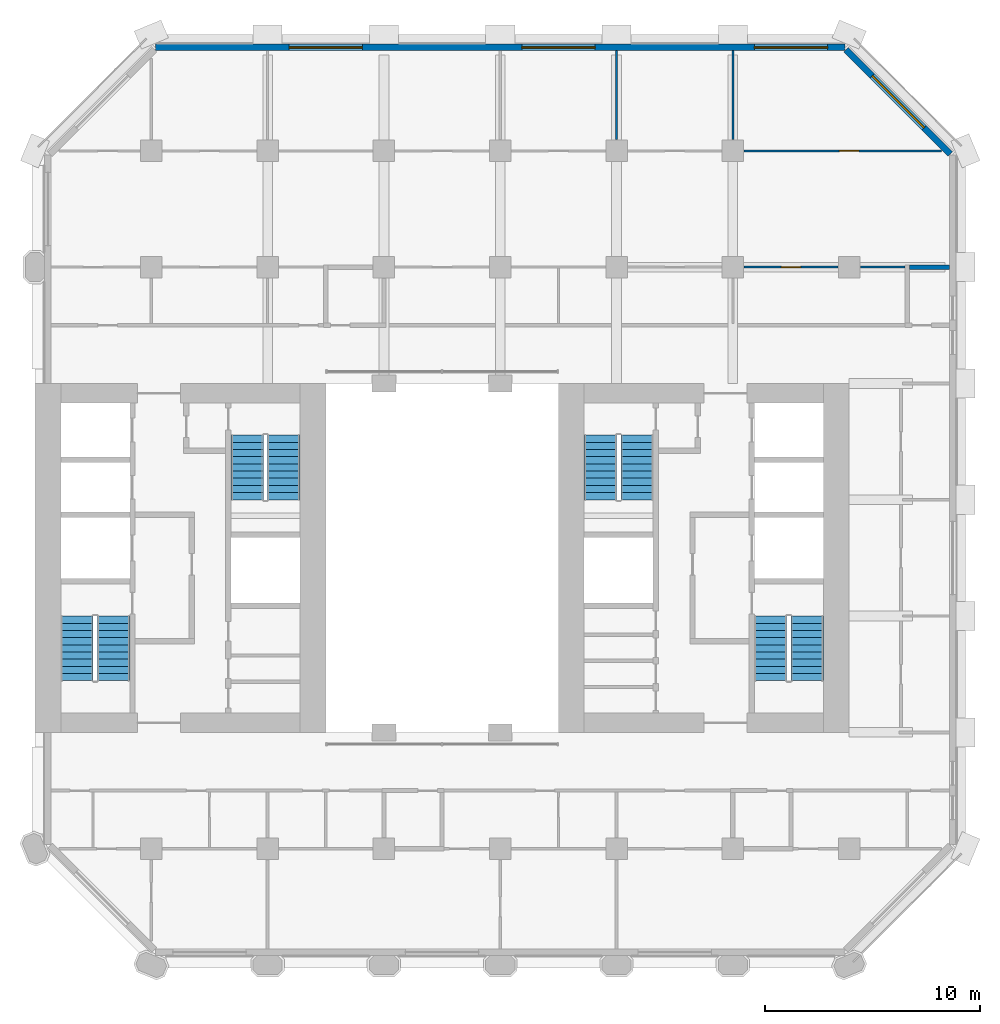
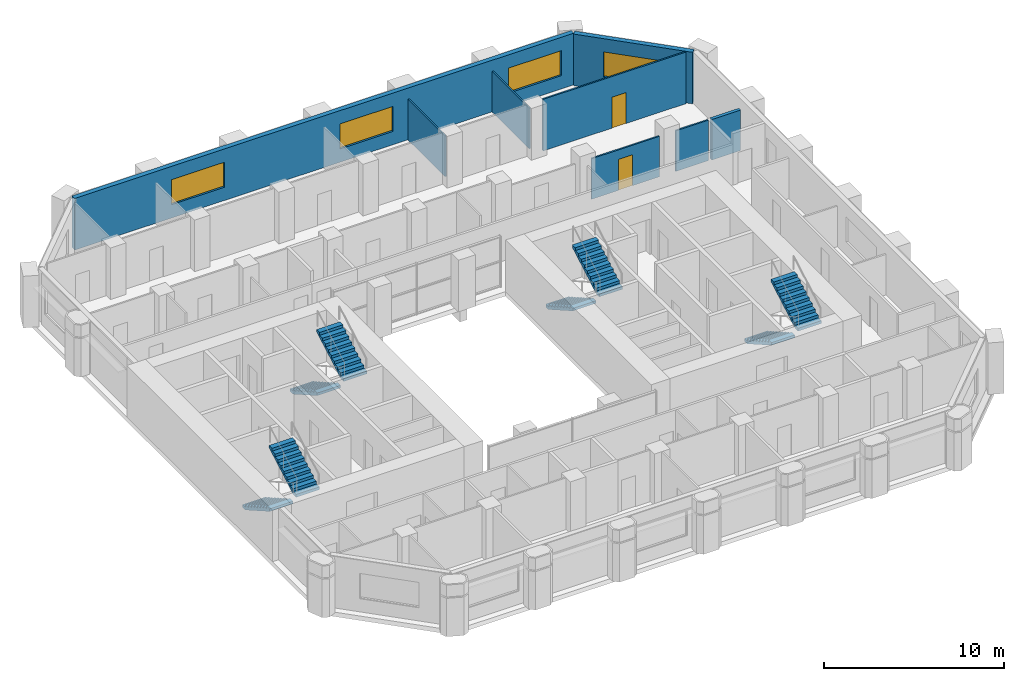
# One storey, part 8 of 11: 8 stair flights, 8 walls, 4 windows, 2 doors, 6 openings, 4 elements without a shape of their own.
"""IFC4 building model written with IfcOpenShell, lengths in metres."""

from ifc_helpers import new_model, si_unit, direction, frame, frame_2d, origin, place, context, subcontext, project, spatial, polyline, rectangle, outline, extrude, material, layer, layer_set, type_object, element, fill, aggregate, save


model = new_model("IFC4")

# Units and contexts
model_context = context("Model", 3, precision=1e-05, world=origin(), true_north=direction((0.0, 1.0)))
body_context = subcontext(model_context, "Body", "Model", "MODEL_VIEW")
ifc_project = project(units=[si_unit("LENGTHUNIT", "METRE"), si_unit("AREAUNIT", "SQUARE_METRE"), si_unit("VOLUMEUNIT", "CUBIC_METRE"), si_unit("PLANEANGLEUNIT", "RADIAN"), si_unit("MASSUNIT", "GRAM", prefix="KILO")], contexts=[model_context])

# Site, building, storey
site_placement = place(None, origin())
site = spatial("IfcSite", under=ifc_project, at=site_placement, CompositionType="ELEMENT")
building_placement = place(site_placement, origin())
building = spatial("IfcBuilding", under=site, at=building_placement, Name="Tabaq Tower and Sports Hall", CompositionType="ELEMENT")
storey_placement = place(building_placement, frame((0.0, 0.0, 72.60009765625)))
storey = spatial("IfcBuildingStorey", under=building, at=storey_placement, Name="L16", CompositionType="ELEMENT", Elevation=72.60009765625)

# Walls
ifc_material_1 = material(Name="Blockwork", Category="masonry")
ifc_layer_1 = layer(ifc_material_1, 0.199951171875)
ifc_layer_set_1 = layer_set([ifc_layer_1], Name="Fire compartment wall 200 Blockwork")
wall_type_1 = type_object("IfcWallType", Name="Fire compartment wall 200 Blockwork", PredefinedType="PARTITIONING", material=ifc_layer_set_1)
wall_1_placement = place(storey_placement, frame((47.84912109375, 37.800048828125, 0.0), z_axis=(0.0, 0.0, 1.0), x_axis=(-1.0, 0.0, 0.0)))
element("IfcWall", 1, at=wall_1_placement, inside=storey, type_object=wall_type_1, Name="Compartment wall L16", PredefinedType="PARTITIONING", context=body_context, shape_type="SweptSolid", body=[
    extrude(rectangle(XDim=1.84912109375, YDim=0.199951171875, at=frame_2d((0.924560546875, 0.0))), origin(), (0.0, 0.0, 1.0), 2.75),
])
ifc_material_2 = material(Name="Gypsum board on steel studs", Category="steel")
ifc_layer_2 = layer(ifc_material_2, 0.10009765625)
ifc_layer_set_2 = layer_set([ifc_layer_2], Name="Partition 100 Gypsum board")
wall_type_2 = type_object("IfcWallType", Name="Partition 100 Gypsum board", PredefinedType="PARTITIONING", material=ifc_layer_set_2)
wall_2_placement = place(storey_placement, frame((45.800048828125, 37.800048828125, 0.0), z_axis=(0.0, 0.0, 1.0), x_axis=(-1.0, 0.0, 0.0)))
element("IfcWall", 2, at=wall_2_placement, inside=storey, type_object=wall_type_2, Name="Partition wall L16", PredefinedType="PARTITIONING", context=body_context, shape_type="SweptSolid", body=[
    extrude(rectangle(XDim=2.080078125, YDim=0.10009765625, at=frame_2d((1.0400390625, 0.0))), origin(), (0.0, 0.0, 1.0), 2.75),
])

# Wall, opening, door
wall_3_placement = place(storey_placement, frame((42.679931640625, 37.800048828125, 0.0), z_axis=(0.0, 0.0, 1.0), x_axis=(-1.0, 0.0, 0.0)))
wall_3 = element("IfcWall", 3, at=wall_3_placement, inside=storey, type_object=wall_type_2, Name="Partition wall L16", PredefinedType="PARTITIONING", context=body_context, shape_type="SweptSolid", body=[
    extrude(rectangle(XDim=4.35986328125, YDim=0.10009765625, at=frame_2d((2.179931640625, 0.0))), origin(), (0.0, 0.0, 1.0), 2.75),
])
opening_1_placement = place(wall_3_placement, frame((1.72998046875, 0.0, 0.0)))
opening_1 = element("IfcOpeningElement", 4, at=opening_1_placement, cuts=wall_3, Name="Opening L16-016", PredefinedType="OPENING", context=body_context, shape_type="SweptSolid", body=[
    extrude(rectangle(XDim=0.89990234375, YDim=2.10009765625, at=frame_2d((0.449951171875, 1.050048828125))), frame((0.0, 0.050048828125, 0.0), z_axis=(0.0, -1.0, 0.0), x_axis=(1.0, 0.0, 0.0)), (0.0, 0.0, 1.0), 0.10009765625),
])
ifc_material_3 = material(Name="Timber leaf in steel frame", Category="steel")
door_type = type_object("IfcDoorType", Name="Internal door 900 left hand", OperationType="SINGLE_SWING_LEFT", PredefinedType="DOOR", material=ifc_material_3)
door_1_placement = place(opening_1_placement, origin())
door_1 = element("IfcDoor", 5, at=door_1_placement, inside=storey, type_object=door_type, Name="Internal door L16-016", OperationType="SINGLE_SWING_LEFT", OverallHeight=2.10009765625, OverallWidth=0.89990234375, PredefinedType="DOOR", context=body_context, shape_type="SweptSolid", body=[
    extrude(rectangle(XDim=0.89990234375, YDim=2.10009765625, at=frame_2d((0.449951171875, 1.050048828125))), frame((0.0, 0.02490234375, 0.0), z_axis=(0.0, -1.0, 0.0), x_axis=(1.0, 0.0, 0.0)), (0.0, 0.0, 1.0), 0.050048828125),
])
fill(opening_1, door_1)

wall_4_placement = place(storey_placement, frame((47.48779296875, 43.199951171875, 0.0), z_axis=(0.0, 0.0, 1.0), x_axis=(-1.0, 0.0, 0.0)))
wall_4 = element("IfcWall", 6, at=wall_4_placement, inside=storey, type_object=wall_type_2, Name="Partition wall L16", PredefinedType="PARTITIONING", context=body_context, shape_type="SweptSolid", body=[
    extrude(rectangle(XDim=9.167724609375, YDim=0.10009765625, at=frame_2d((4.583984375, 0.0))), origin(), (0.0, 0.0, 1.0), 3.5),
])
opening_2_placement = place(wall_4_placement, frame((3.837890625, 0.0, 0.0)))
opening_2 = element("IfcOpeningElement", 7, at=opening_2_placement, cuts=wall_4, Name="Opening L16-022", PredefinedType="OPENING", context=body_context, shape_type="SweptSolid", body=[
    extrude(rectangle(XDim=0.89990234375, YDim=2.10009765625, at=frame_2d((0.449951171875, 1.050048828125))), frame((0.0, 0.050048828125, 0.0), z_axis=(0.0, -1.0, 0.0), x_axis=(1.0, 0.0, 0.0)), (0.0, 0.0, 1.0), 0.10009765625),
])
door_2_placement = place(opening_2_placement, origin())
door_2 = element("IfcDoor", 8, at=door_2_placement, inside=storey, type_object=door_type, Name="Internal door L16-022", OperationType="SINGLE_SWING_LEFT", OverallHeight=2.10009765625, OverallWidth=0.89990234375, PredefinedType="DOOR", context=body_context, shape_type="SweptSolid", body=[
    extrude(rectangle(XDim=0.89990234375, YDim=2.10009765625, at=frame_2d((0.449951171875, 1.050048828125))), frame((0.0, 0.02490234375, 0.0), z_axis=(0.0, -1.0, 0.0), x_axis=(1.0, 0.0, 0.0)), (0.0, 0.0, 1.0), 0.050048828125),
])
fill(opening_2, door_2)

# Walls
for number, where, z_axis, x_axis, name in (
    (9, (32.39990234375, 43.719970703125, 0.0), (0.0, 0.0, 1.0), (0.0, 1.0, 0.0), "Partition wall L16"),
    (10, (37.800048828125, 43.719970703125, 0.0), (0.0, 0.0, 1.0), (0.0, 1.0, 0.0), "Partition wall L16"),
):
    element("IfcWall", number, at=place(storey_placement, frame(where, z_axis=z_axis, x_axis=x_axis)), inside=storey, type_object=wall_type_2, Name=name, PredefinedType="PARTITIONING", context=body_context, shape_type="SweptSolid", body=[
        extrude(rectangle(XDim=4.129150390625, YDim=0.10009765625, at=frame_2d((2.064453125, 0.0))), origin(), (0.0, 0.0, 1.0), 2.75),
    ])

# Wall, opening, window
ifc_material_4 = material(Name="White precast concrete C60/75", Category="concrete")
ifc_layer_3 = layer(ifc_material_4, 0.300048828125)
ifc_layer_set_3 = layer_set([ifc_layer_3], Name="White precast concrete C60/75 external wall 300")
wall_type_3 = type_object("IfcWallType", Name="White precast concrete C60/75 external wall 300", PredefinedType="SOLIDWALL", material=ifc_layer_set_3)
wall_5_placement = place(storey_placement, frame((47.901123046875, 43.050537109375, 0.0), z_axis=(0.0, 0.0, 1.0), x_axis=(-0.707106781187, 0.707106781187, 0.0)))
wall_5 = element("IfcWall", 11, at=wall_5_placement, inside=storey, type_object=wall_type_3, Name="External Wall L16 NE", PredefinedType="SOLIDWALL", context=body_context, shape_type="SweptSolid", body=[
    extrude(rectangle(XDim=6.85986328125, YDim=0.300048828125, at=frame_2d((3.429931640625, 0.0))), origin(), (0.0, 0.0, 1.0), 3.5),
])
opening_3_placement = place(wall_5_placement, frame((1.729736328125, 0.0, 0.89990234375)))
opening_3 = element("IfcOpeningElement", 12, at=opening_3_placement, cuts=wall_5, Name="Opening W1A", PredefinedType="OPENING", context=body_context, shape_type="SweptSolid", body=[
    extrude(rectangle(XDim=3.39990234375, YDim=1.699951171875, at=frame_2d((1.699951171875, 0.85009765625))), frame((0.0, 0.16015625, 0.0), z_axis=(0.0, -1.0, 0.0), x_axis=(1.0, 0.0, 0.0)), (0.0, 0.0, 1.0), 0.320068359375),
])
ifc_material_5 = material(Name="Aluminium framed clear glazing", Category="aluminium")
window_type = type_object("IfcWindowType", Name="Window W1A", PartitioningType="SINGLE_PANEL", PredefinedType="WINDOW", material=ifc_material_5)
window_1_placement = place(opening_3_placement, origin())
window_1 = element("IfcWindow", 13, at=window_1_placement, inside=storey, type_object=window_type, Name="Window W1A L16", OverallHeight=1.699951171875, OverallWidth=3.39990234375, PartitioningType="SINGLE_PANEL", PredefinedType="WINDOW", context=body_context, shape_type="SweptSolid", body=[
    extrude(rectangle(XDim=3.39990234375, YDim=1.699951171875, at=frame_2d((1.699951171875, 0.85009765625))), frame((0.0, 0.030029296875, 0.0), z_axis=(0.0, -1.0, 0.0), x_axis=(1.0, 0.0, 0.0)), (0.0, 0.0, 1.0), 0.06005859375),
])
fill(opening_3, window_1)

# Wall, openings, windows
wall_6_placement = place(storey_placement, frame((43.013671875, 48.0, 0.0), z_axis=(0.0, 0.0, 1.0), x_axis=(-1.0, 0.0, 0.0)))
wall_6 = element("IfcWall", 14, at=wall_6_placement, inside=storey, type_object=wall_type_3, Name="External Wall L16 N", PredefinedType="SOLIDWALL", context=body_context, shape_type="SweptSolid", body=[
    extrude(rectangle(XDim=32.02734375, YDim=0.300048828125, at=frame_2d((16.013671875, 0.0))), origin(), (0.0, 0.0, 1.0), 3.5),
])
opening_4_placement = place(wall_6_placement, frame((0.813720703125, 0.0, 0.89990234375)))
opening_4 = element("IfcOpeningElement", 15, at=opening_4_placement, cuts=wall_6, Name="Opening W1A", PredefinedType="OPENING", context=body_context, shape_type="SweptSolid", body=[
    extrude(rectangle(XDim=3.39990234375, YDim=1.699951171875, at=frame_2d((1.699951171875, 0.85009765625))), frame((0.0, 0.16015625, 0.0), z_axis=(0.0, -1.0, 0.0), x_axis=(1.0, 0.0, 0.0)), (0.0, 0.0, 1.0), 0.320068359375),
])
opening_5_placement = place(wall_6_placement, frame((11.613525390625, 0.0, 0.89990234375)))
opening_5 = element("IfcOpeningElement", 16, at=opening_5_placement, cuts=wall_6, Name="Opening W1A", PredefinedType="OPENING", context=body_context, shape_type="SweptSolid", body=[
    extrude(rectangle(XDim=3.39990234375, YDim=1.699951171875, at=frame_2d((1.699951171875, 0.85009765625))), frame((0.0, 0.16015625, 0.0), z_axis=(0.0, -1.0, 0.0), x_axis=(1.0, 0.0, 0.0)), (0.0, 0.0, 1.0), 0.320068359375),
])
opening_6_placement = place(wall_6_placement, frame((22.41357421875, 0.0, 0.89990234375)))
opening_6 = element("IfcOpeningElement", 17, at=opening_6_placement, cuts=wall_6, Name="Opening W1A", PredefinedType="OPENING", context=body_context, shape_type="SweptSolid", body=[
    extrude(rectangle(XDim=3.39990234375, YDim=1.699951171875, at=frame_2d((1.699951171875, 0.85009765625))), frame((0.0, 0.16015625, 0.0), z_axis=(0.0, -1.0, 0.0), x_axis=(1.0, 0.0, 0.0)), (0.0, 0.0, 1.0), 0.320068359375),
])
window_2_placement = place(opening_4_placement, origin())
window_2 = element("IfcWindow", 18, at=window_2_placement, inside=storey, type_object=window_type, Name="Window W1A L16", OverallHeight=1.699951171875, OverallWidth=3.39990234375, PartitioningType="SINGLE_PANEL", PredefinedType="WINDOW", context=body_context, shape_type="SweptSolid", body=[
    extrude(rectangle(XDim=3.39990234375, YDim=1.699951171875, at=frame_2d((1.699951171875, 0.85009765625))), frame((0.0, 0.030029296875, 0.0), z_axis=(0.0, -1.0, 0.0), x_axis=(1.0, 0.0, 0.0)), (0.0, 0.0, 1.0), 0.06005859375),
])
fill(opening_4, window_2)
window_3_placement = place(opening_5_placement, origin())
window_3 = element("IfcWindow", 19, at=window_3_placement, inside=storey, type_object=window_type, Name="Window W1A L16", OverallHeight=1.699951171875, OverallWidth=3.39990234375, PartitioningType="SINGLE_PANEL", PredefinedType="WINDOW", context=body_context, shape_type="SweptSolid", body=[
    extrude(rectangle(XDim=3.39990234375, YDim=1.699951171875, at=frame_2d((1.699951171875, 0.85009765625))), frame((0.0, 0.030029296875, 0.0), z_axis=(0.0, -1.0, 0.0), x_axis=(1.0, 0.0, 0.0)), (0.0, 0.0, 1.0), 0.06005859375),
])
fill(opening_5, window_3)
window_4_placement = place(opening_6_placement, origin())
window_4 = element("IfcWindow", 20, at=window_4_placement, inside=storey, type_object=window_type, Name="Window W1A L16", OverallHeight=1.699951171875, OverallWidth=3.39990234375, PartitioningType="SINGLE_PANEL", PredefinedType="WINDOW", context=body_context, shape_type="SweptSolid", body=[
    extrude(rectangle(XDim=3.39990234375, YDim=1.699951171875, at=frame_2d((1.699951171875, 0.85009765625))), frame((0.0, 0.030029296875, 0.0), z_axis=(0.0, -1.0, 0.0), x_axis=(1.0, 0.0, 0.0)), (0.0, 0.0, 1.0), 0.06005859375),
])
fill(opening_6, window_4)

# Stair, stair flights
ifc_material_6 = material(Name="Concrete C40/50", Category="concrete")
stair_type = type_object("IfcStairType", Name="Exit stair", PredefinedType="HALF_TURN_STAIR", material=ifc_material_6)
stair_1_placement = place(storey_placement, origin())
stair_1 = element("IfcStair", 21, at=stair_1_placement, inside=storey, type_object=stair_type, Name="L16 Exit stair ST1", PredefinedType="HALF_TURN_STAIR")
ifc_material_7 = material(Name="Concrete C40/50", Category="concrete")
stair_flight_type = type_object("IfcStairFlightType", Name="Exit stair flight", PredefinedType="STRAIGHT", material=ifc_material_7)
stair_flight_1_placement = place(storey_placement, frame((7.35009765625, 21.60009765625, 0.0), z_axis=(0.0, 0.0, 1.0), x_axis=(0.0, -1.0, 0.0)))
stair_flight_1 = element("IfcStairFlight", 22, at=stair_flight_1_placement, type_object=stair_flight_type, Name="ST1 flight 1", NumberOfRisers=10, NumberOfTreads=9, PredefinedType="STRAIGHT", RiserHeight=0.19, TreadLength=0.333333333, context=body_context, shape_type="SweptSolid", body=[
    extrude(outline(polyline([(0.0, 0.0), (0.0, 0.18994140625), (0.333251953125, 0.18994140625), (0.333251953125, 0.3798828125), (0.666748046875, 0.3798828125), (0.666748046875, 0.570068359375), (1.0, 0.570068359375), (1.0, 0.760009765625), (1.333251953125, 0.760009765625), (1.333251953125, 0.949951171875), (1.666748046875, 0.949951171875), (1.666748046875, 1.139892578125), (2.0, 1.139892578125), (2.0, 1.330078125), (2.333251953125, 1.330078125), (2.333251953125, 1.52001953125), (2.666748046875, 1.52001953125), (2.666748046875, 1.7099609375), (3.0, 1.7099609375), (3.0, 1.89990234375), (3.0, 1.537353515625), (0.302734375, 0.0), (0.0, 0.0)])), frame((0.0, 0.75, 0.0), z_axis=(0.0, -1.0, 0.0), x_axis=(1.0, 0.0, 0.0)), (0.0, 0.0, 1.0), 1.5),
])
stair_flight_2_placement = place(storey_placement, frame((9.050048828125, 18.60009765625, 1.89990234375), z_axis=(0.0, 0.0, 1.0), x_axis=(0.0, 1.0, 0.0)))
stair_flight_2 = element("IfcStairFlight", 23, at=stair_flight_2_placement, type_object=stair_flight_type, Name="ST1 flight 2", NumberOfRisers=10, NumberOfTreads=9, PredefinedType="STRAIGHT", RiserHeight=0.19, TreadLength=0.333333333, context=body_context, shape_type="SweptSolid", body=[
    extrude(outline(polyline([(0.0, 0.0), (0.0, 0.18994140625), (0.333251953125, 0.18994140625), (0.333251953125, 0.3798828125), (0.666748046875, 0.3798828125), (0.666748046875, 0.570068359375), (1.0, 0.570068359375), (1.0, 0.760009765625), (1.333251953125, 0.760009765625), (1.333251953125, 0.949951171875), (1.666748046875, 0.949951171875), (1.666748046875, 1.139892578125), (2.0, 1.139892578125), (2.0, 1.330078125), (2.333251953125, 1.330078125), (2.333251953125, 1.52001953125), (2.666748046875, 1.52001953125), (2.666748046875, 1.7099609375), (3.0, 1.7099609375), (3.0, 1.89990234375), (3.0, 1.537353515625), (0.302734375, 0.0), (0.0, 0.0)])), frame((0.0, 0.75, 0.0), z_axis=(0.0, -1.0, 0.0), x_axis=(1.0, 0.0, 0.0)), (0.0, 0.0, 1.0), 1.5),
])
aggregate(stair_1, [stair_flight_1, stair_flight_2])

stair_2_placement = place(storey_placement, origin())
stair_2 = element("IfcStair", 24, at=stair_2_placement, inside=storey, type_object=stair_type, Name="L16 Exit stair ST2", PredefinedType="HALF_TURN_STAIR")
stair_flight_3_placement = place(storey_placement, frame((15.25, 30.0, 0.0), z_axis=(0.0, 0.0, 1.0), x_axis=(0.0, -1.0, 0.0)))
stair_flight_3 = element("IfcStairFlight", 25, at=stair_flight_3_placement, type_object=stair_flight_type, Name="ST2 flight 1", NumberOfRisers=10, NumberOfTreads=9, PredefinedType="STRAIGHT", RiserHeight=0.19, TreadLength=0.333333333, context=body_context, shape_type="SweptSolid", body=[
    extrude(outline(polyline([(0.0, 0.0), (0.0, 0.18994140625), (0.333251953125, 0.18994140625), (0.333251953125, 0.3798828125), (0.666748046875, 0.3798828125), (0.666748046875, 0.570068359375), (1.0, 0.570068359375), (1.0, 0.760009765625), (1.333251953125, 0.760009765625), (1.333251953125, 0.949951171875), (1.666748046875, 0.949951171875), (1.666748046875, 1.139892578125), (2.0, 1.139892578125), (2.0, 1.330078125), (2.333251953125, 1.330078125), (2.333251953125, 1.52001953125), (2.666748046875, 1.52001953125), (2.666748046875, 1.7099609375), (3.0, 1.7099609375), (3.0, 1.89990234375), (3.0, 1.537353515625), (0.302734375, 0.0), (0.0, 0.0)])), frame((0.0, 0.75, 0.0), z_axis=(0.0, -1.0, 0.0), x_axis=(1.0, 0.0, 0.0)), (0.0, 0.0, 1.0), 1.5),
])
stair_flight_4_placement = place(storey_placement, frame((16.949951171875, 27.0, 1.89990234375), z_axis=(0.0, 0.0, 1.0), x_axis=(0.0, 1.0, 0.0)))
stair_flight_4 = element("IfcStairFlight", 26, at=stair_flight_4_placement, type_object=stair_flight_type, Name="ST2 flight 2", NumberOfRisers=10, NumberOfTreads=9, PredefinedType="STRAIGHT", RiserHeight=0.19, TreadLength=0.333333333, context=body_context, shape_type="SweptSolid", body=[
    extrude(outline(polyline([(0.0, 0.0), (0.0, 0.18994140625), (0.333251953125, 0.18994140625), (0.333251953125, 0.3798828125), (0.666748046875, 0.3798828125), (0.666748046875, 0.570068359375), (1.0, 0.570068359375), (1.0, 0.760009765625), (1.333251953125, 0.760009765625), (1.333251953125, 0.949951171875), (1.666748046875, 0.949951171875), (1.666748046875, 1.139892578125), (2.0, 1.139892578125), (2.0, 1.330078125), (2.333251953125, 1.330078125), (2.333251953125, 1.52001953125), (2.666748046875, 1.52001953125), (2.666748046875, 1.7099609375), (3.0, 1.7099609375), (3.0, 1.89990234375), (3.0, 1.537353515625), (0.302734375, 0.0), (0.0, 0.0)])), frame((0.0, 0.75, 0.0), z_axis=(0.0, -1.0, 0.0), x_axis=(1.0, 0.0, 0.0)), (0.0, 0.0, 1.0), 1.5),
])
aggregate(stair_2, [stair_flight_3, stair_flight_4])

stair_3_placement = place(storey_placement, origin())
stair_3 = element("IfcStair", 27, at=stair_3_placement, inside=storey, type_object=stair_type, Name="L16 Exit stair ST3", PredefinedType="HALF_TURN_STAIR")
stair_flight_5_placement = place(storey_placement, frame((39.550048828125, 21.60009765625, 0.0), z_axis=(0.0, 0.0, 1.0), x_axis=(0.0, -1.0, 0.0)))
stair_flight_5 = element("IfcStairFlight", 28, at=stair_flight_5_placement, type_object=stair_flight_type, Name="ST3 flight 1", NumberOfRisers=10, NumberOfTreads=9, PredefinedType="STRAIGHT", RiserHeight=0.19, TreadLength=0.333333333, context=body_context, shape_type="SweptSolid", body=[
    extrude(outline(polyline([(0.0, 0.0), (0.0, 0.18994140625), (0.333251953125, 0.18994140625), (0.333251953125, 0.3798828125), (0.666748046875, 0.3798828125), (0.666748046875, 0.570068359375), (1.0, 0.570068359375), (1.0, 0.760009765625), (1.333251953125, 0.760009765625), (1.333251953125, 0.949951171875), (1.666748046875, 0.949951171875), (1.666748046875, 1.139892578125), (2.0, 1.139892578125), (2.0, 1.330078125), (2.333251953125, 1.330078125), (2.333251953125, 1.52001953125), (2.666748046875, 1.52001953125), (2.666748046875, 1.7099609375), (3.0, 1.7099609375), (3.0, 1.89990234375), (3.0, 1.537353515625), (0.302734375, 0.0), (0.0, 0.0)])), frame((0.0, 0.75, 0.0), z_axis=(0.0, -1.0, 0.0), x_axis=(1.0, 0.0, 0.0)), (0.0, 0.0, 1.0), 1.5),
])
stair_flight_6_placement = place(storey_placement, frame((41.25, 18.60009765625, 1.89990234375), z_axis=(0.0, 0.0, 1.0), x_axis=(0.0, 1.0, 0.0)))
stair_flight_6 = element("IfcStairFlight", 29, at=stair_flight_6_placement, type_object=stair_flight_type, Name="ST3 flight 2", NumberOfRisers=10, NumberOfTreads=9, PredefinedType="STRAIGHT", RiserHeight=0.19, TreadLength=0.333333333, context=body_context, shape_type="SweptSolid", body=[
    extrude(outline(polyline([(0.0, 0.0), (0.0, 0.18994140625), (0.333251953125, 0.18994140625), (0.333251953125, 0.3798828125), (0.666748046875, 0.3798828125), (0.666748046875, 0.570068359375), (1.0, 0.570068359375), (1.0, 0.760009765625), (1.333251953125, 0.760009765625), (1.333251953125, 0.949951171875), (1.666748046875, 0.949951171875), (1.666748046875, 1.139892578125), (2.0, 1.139892578125), (2.0, 1.330078125), (2.333251953125, 1.330078125), (2.333251953125, 1.52001953125), (2.666748046875, 1.52001953125), (2.666748046875, 1.7099609375), (3.0, 1.7099609375), (3.0, 1.89990234375), (3.0, 1.537353515625), (0.302734375, 0.0), (0.0, 0.0)])), frame((0.0, 0.75, 0.0), z_axis=(0.0, -1.0, 0.0), x_axis=(1.0, 0.0, 0.0)), (0.0, 0.0, 1.0), 1.5),
])
aggregate(stair_3, [stair_flight_5, stair_flight_6])

stair_4_placement = place(storey_placement, origin())
stair_4 = element("IfcStair", 30, at=stair_4_placement, inside=storey, type_object=stair_type, Name="L16 Exit stair ST4", PredefinedType="HALF_TURN_STAIR")
stair_flight_7_placement = place(storey_placement, frame((31.64990234375, 30.0, 0.0), z_axis=(0.0, 0.0, 1.0), x_axis=(0.0, -1.0, 0.0)))
stair_flight_7 = element("IfcStairFlight", 31, at=stair_flight_7_placement, type_object=stair_flight_type, Name="ST4 flight 1", NumberOfRisers=10, NumberOfTreads=9, PredefinedType="STRAIGHT", RiserHeight=0.19, TreadLength=0.333333333, context=body_context, shape_type="SweptSolid", body=[
    extrude(outline(polyline([(0.0, 0.0), (0.0, 0.18994140625), (0.333251953125, 0.18994140625), (0.333251953125, 0.3798828125), (0.666748046875, 0.3798828125), (0.666748046875, 0.570068359375), (1.0, 0.570068359375), (1.0, 0.760009765625), (1.333251953125, 0.760009765625), (1.333251953125, 0.949951171875), (1.666748046875, 0.949951171875), (1.666748046875, 1.139892578125), (2.0, 1.139892578125), (2.0, 1.330078125), (2.333251953125, 1.330078125), (2.333251953125, 1.52001953125), (2.666748046875, 1.52001953125), (2.666748046875, 1.7099609375), (3.0, 1.7099609375), (3.0, 1.89990234375), (3.0, 1.537353515625), (0.302734375, 0.0), (0.0, 0.0)])), frame((0.0, 0.75, 0.0), z_axis=(0.0, -1.0, 0.0), x_axis=(1.0, 0.0, 0.0)), (0.0, 0.0, 1.0), 1.5),
])
stair_flight_8_placement = place(storey_placement, frame((33.35009765625, 27.0, 1.89990234375), z_axis=(0.0, 0.0, 1.0), x_axis=(0.0, 1.0, 0.0)))
stair_flight_8 = element("IfcStairFlight", 32, at=stair_flight_8_placement, type_object=stair_flight_type, Name="ST4 flight 2", NumberOfRisers=10, NumberOfTreads=9, PredefinedType="STRAIGHT", RiserHeight=0.19, TreadLength=0.333333333, context=body_context, shape_type="SweptSolid", body=[
    extrude(outline(polyline([(0.0, 0.0), (0.0, 0.18994140625), (0.333251953125, 0.18994140625), (0.333251953125, 0.3798828125), (0.666748046875, 0.3798828125), (0.666748046875, 0.570068359375), (1.0, 0.570068359375), (1.0, 0.760009765625), (1.333251953125, 0.760009765625), (1.333251953125, 0.949951171875), (1.666748046875, 0.949951171875), (1.666748046875, 1.139892578125), (2.0, 1.139892578125), (2.0, 1.330078125), (2.333251953125, 1.330078125), (2.333251953125, 1.52001953125), (2.666748046875, 1.52001953125), (2.666748046875, 1.7099609375), (3.0, 1.7099609375), (3.0, 1.89990234375), (3.0, 1.537353515625), (0.302734375, 0.0), (0.0, 0.0)])), frame((0.0, 0.75, 0.0), z_axis=(0.0, -1.0, 0.0), x_axis=(1.0, 0.0, 0.0)), (0.0, 0.0, 1.0), 1.5),
])
aggregate(stair_4, [stair_flight_7, stair_flight_8])

save(model, "model.ifc")
